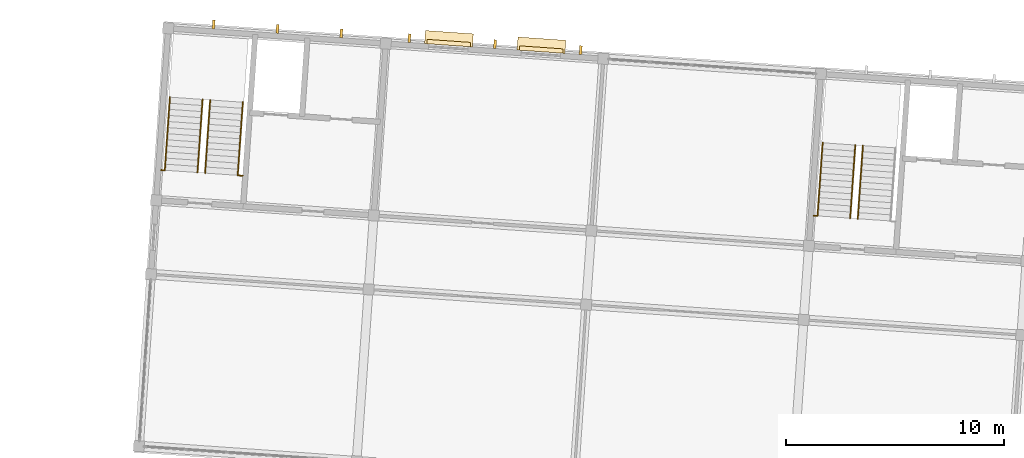
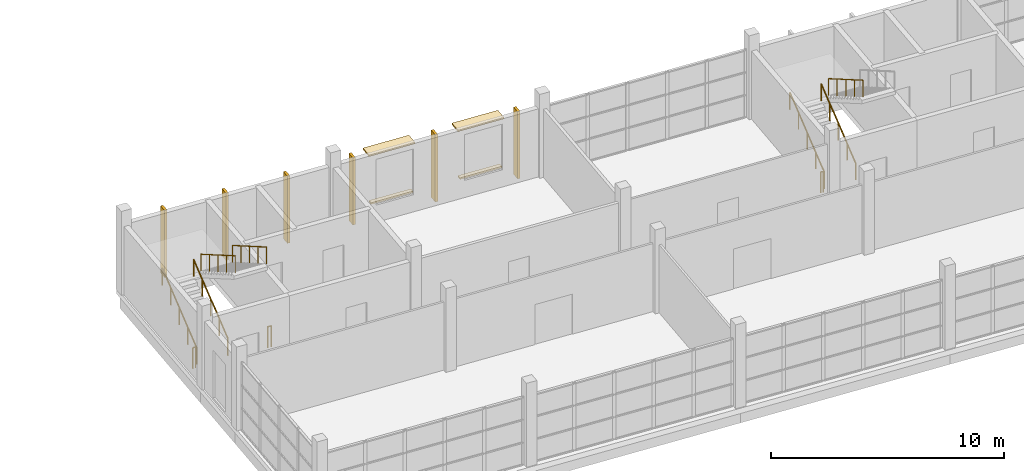
# One storey, part 49 of 50: 10 railings, 6 shading devices, 4 coverings.
"""IFC4 building model written with IfcOpenShell, lengths in metres."""

from ifc_helpers import new_model, si_unit, direction, frame, origin, origin_2d, place, context, subcontext, project, spatial, polyline, circle, outline, extrude, material, layer, layer_set, type_object, element, save


model = new_model("IFC4")

# Units and contexts
model_context = context("Model", 3, precision=1e-05, world=origin(), true_north=direction((0.0, 1.0)))
body_context = subcontext(model_context, "Body", "Model", "MODEL_VIEW")
ifc_project = project(units=[si_unit("LENGTHUNIT", "METRE"), si_unit("AREAUNIT", "SQUARE_METRE"), si_unit("VOLUMEUNIT", "CUBIC_METRE"), si_unit("PLANEANGLEUNIT", "RADIAN"), si_unit("MASSUNIT", "GRAM", prefix="KILO")], contexts=[model_context])

# Site, building, storey
site_placement = place(None, origin())
site = spatial("IfcSite", under=ifc_project, at=site_placement, CompositionType="ELEMENT")
building_placement = place(site_placement, origin())
building = spatial("IfcBuilding", under=site, at=building_placement, Name="Windward Yard Aquatics Centre", CompositionType="ELEMENT")
storey_placement = place(building_placement, frame((0.0, 0.0, 18.199951171875)))
storey = spatial("IfcBuildingStorey", under=building, at=storey_placement, Name="L04", CompositionType="ELEMENT", Elevation=18.199951171875)

# Railings
ifc_material_1 = material(Name="Stainless steel 1.4529", Category="steel")
railing_type_1 = type_object("IfcRailingType", Name="W guard 1100", PredefinedType="GUARDRAIL", material=ifc_material_1)
railing_1_placement = place(storey_placement, frame((118.849609375, 128.827880859375, 0.0)))
element("IfcRailing", 1, at=railing_1_placement, inside=storey, type_object=railing_type_1, Name="W.GS.W.L04.1", PredefinedType="GUARDRAIL", context=body_context, shape_type="SweptSolid", body=[
    extrude(circle(Radius=0.02392578125, at=origin_2d()), frame((0.0, 0.0, 1.076171875), z_axis=(0.997517922262, -0.070413029807, 0.0), x_axis=(0.070413029807, 0.997517922262, 0.0)), (0.0, 0.0, 1.0), 0.124755859375),
    extrude(circle(Radius=0.02099609375, at=origin_2d()), origin(), (0.0, 0.0, 1.0), 1.052001953125),
    extrude(circle(Radius=0.02099609375, at=origin_2d()), frame((0.12451171875, -0.0087890625, 0.0)), (0.0, 0.0, 1.0), 1.052001953125),
])
railing_2_placement = place(storey_placement, frame((122.415771484375, 128.57861328125, 0.0)))
element("IfcRailing", 2, at=railing_2_placement, inside=storey, type_object=railing_type_1, Name="W.GS.W.L04.2", PredefinedType="GUARDRAIL", context=body_context, shape_type="SweptSolid", body=[
    extrude(circle(Radius=0.02392578125, at=origin_2d()), frame((0.0, 0.0, 1.076171875), z_axis=(0.997563824095, -0.069759707979, 0.0), x_axis=(0.069759707979, 0.997563824095, 0.0)), (0.0, 0.0, 1.0), 0.175048828125),
    extrude(circle(Radius=0.02099609375, at=origin_2d()), origin(), (0.0, 0.0, 1.0), 1.052001953125),
    extrude(circle(Radius=0.02099609375, at=origin_2d()), frame((0.174560546875, -0.01220703125, 0.0)), (0.0, 0.0, 1.0), 1.052001953125),
])
railing_3_placement = place(storey_placement, frame((148.7763671875, 126.735107421875, 0.0)))
element("IfcRailing", 3, at=railing_3_placement, inside=storey, type_object=railing_type_1, Name="W.GS.E.L04.1", PredefinedType="GUARDRAIL", context=body_context, shape_type="SweptSolid", body=[
    extrude(circle(Radius=0.02392578125, at=origin_2d()), frame((0.0, 0.0, 1.076171875), z_axis=(0.997662565173, -0.068333052409, 0.0), x_axis=(0.068333052409, 0.997662565173, 0.0)), (0.0, 0.0, 1.0), 0.125),
    extrude(circle(Radius=0.02099609375, at=origin_2d()), origin(), (0.0, 0.0, 1.0), 1.052001953125),
    extrude(circle(Radius=0.02099609375, at=origin_2d()), frame((0.124755859375, -0.008544921875, 0.0)), (0.0, 0.0, 1.0), 1.052001953125),
])
ifc_material_2 = material(Name="Stainless steel 1.4401", Category="steel")
railing_type_2 = type_object("IfcRailingType", Name="W handrail 900", PredefinedType="HANDRAIL", material=ifc_material_2)
for number, where, name in (
    (4, (119.02392578125, 128.815673828125, 0.169189453125), "W.HR.W.L04.1L"),
    (5, (120.5205078125, 128.7109375, 0.169189453125), "W.HR.W.L04.1R"),
):
    element("IfcRailing", number, at=place(storey_placement, frame(where)), inside=storey, type_object=railing_type_2, Name=name, PredefinedType="HANDRAIL", context=body_context, shape_type="SweptSolid", body=[
        extrude(circle(Radius=0.02392578125, at=origin_2d()), frame((0.0, 0.0, 0.8759765625), z_axis=(0.05969805655, 0.853744394147, 0.517258785819), x_axis=(-0.997564177681, 0.06975465151, 0.0)), (0.0, 0.0, 1.0), 3.926025390625),
        extrude(circle(Radius=0.02099609375, at=origin_2d()), origin(), (0.0, 0.0, 1.0), 0.851806640625),
        extrude(circle(Radius=0.02099609375, at=origin_2d()), frame((0.05859375, 0.837890625, 0.5078125)), (0.0, 0.0, 1.0), 0.851806640625),
        extrude(circle(Radius=0.02099609375, at=origin_2d()), frame((0.1171875, 1.67578125, 1.015380859375)), (0.0, 0.0, 1.0), 0.851806640625),
        extrude(circle(Radius=0.02099609375, at=origin_2d()), frame((0.17578125, 2.513916015625, 1.52294921875)), (0.0, 0.0, 1.0), 0.851806640625),
        extrude(circle(Radius=0.02099609375, at=origin_2d()), frame((0.234375, 3.351806640625, 2.03076171875)), (0.0, 0.0, 1.0), 0.851806640625),
    ])
railing_4_placement = place(storey_placement, frame((121.10400390625, 132.038330078125, 2.369140625)))
element("IfcRailing", 6, at=railing_4_placement, inside=storey, type_object=railing_type_2, Name="W.HR.W.L04.2L", PredefinedType="HANDRAIL", context=body_context, shape_type="SweptSolid", body=[
    extrude(circle(Radius=0.02392578125, at=origin_2d()), frame((0.0, 0.0, 0.8759765625), z_axis=(-0.059758097812, -0.853713761566, 0.517302409678), x_axis=(0.997559118983, -0.069826958507, 0.0)), (0.0, 0.0, 1.0), 3.92626953125),
    extrude(circle(Radius=0.02099609375, at=origin_2d()), origin(), (0.0, 0.0, 1.0), 0.851806640625),
    extrude(circle(Radius=0.02099609375, at=origin_2d()), frame((-0.05859375, -0.837890625, 0.5078125)), (0.0, 0.0, 1.0), 0.851806640625),
    extrude(circle(Radius=0.02099609375, at=origin_2d()), frame((-0.1171875, -1.67578125, 1.015625)), (0.0, 0.0, 1.0), 0.851806640625),
    extrude(circle(Radius=0.02099609375, at=origin_2d()), frame((-0.176025390625, -2.513916015625, 1.523193359375)), (0.0, 0.0, 1.0), 0.851806640625),
    extrude(circle(Radius=0.02099609375, at=origin_2d()), frame((-0.234619140625, -3.351806640625, 2.031005859375)), (0.0, 0.0, 1.0), 0.851806640625),
])
railing_5_placement = place(storey_placement, frame((122.600341796875, 131.933837890625, 2.369140625)))
element("IfcRailing", 7, at=railing_5_placement, inside=storey, type_object=railing_type_2, Name="W.HR.W.L04.2R", PredefinedType="HANDRAIL", context=body_context, shape_type="SweptSolid", body=[
    extrude(circle(Radius=0.02392578125, at=origin_2d()), frame((0.0, 0.0, 0.8759765625), z_axis=(-0.059696136281, -0.853716932293, 0.51730433096), x_axis=(0.997564177681, -0.06975465151, 0.0)), (0.0, 0.0, 1.0), 3.926025390625),
    extrude(circle(Radius=0.02099609375, at=origin_2d()), origin(), (0.0, 0.0, 1.0), 0.851806640625),
    extrude(circle(Radius=0.02099609375, at=origin_2d()), frame((-0.05859375, -0.837890625, 0.5078125)), (0.0, 0.0, 1.0), 0.851806640625),
    extrude(circle(Radius=0.02099609375, at=origin_2d()), frame((-0.1171875, -1.67578125, 1.015625)), (0.0, 0.0, 1.0), 0.851806640625),
    extrude(circle(Radius=0.02099609375, at=origin_2d()), frame((-0.17578125, -2.513916015625, 1.523193359375)), (0.0, 0.0, 1.0), 0.851806640625),
    extrude(circle(Radius=0.02099609375, at=origin_2d()), frame((-0.234375, -3.351806640625, 2.031005859375)), (0.0, 0.0, 1.0), 0.851806640625),
])
for number, where, name in (
    (8, (148.950927734375, 126.722900390625, 0.169189453125), "W.HR.E.L04.1L"),
    (9, (150.447265625, 126.618408203125, 0.169189453125), "W.HR.E.L04.1R"),
):
    element("IfcRailing", number, at=place(storey_placement, frame(where)), inside=storey, type_object=railing_type_2, Name=name, PredefinedType="HANDRAIL", context=body_context, shape_type="SweptSolid", body=[
        extrude(circle(Radius=0.02392578125, at=origin_2d()), frame((0.0, 0.0, 0.8759765625), z_axis=(0.05969805655, 0.853744394147, 0.517258785819), x_axis=(-0.997564177681, 0.06975465151, 0.0)), (0.0, 0.0, 1.0), 3.926025390625),
        extrude(circle(Radius=0.02099609375, at=origin_2d()), origin(), (0.0, 0.0, 1.0), 0.851806640625),
        extrude(circle(Radius=0.02099609375, at=origin_2d()), frame((0.05859375, 0.837890625, 0.5078125)), (0.0, 0.0, 1.0), 0.851806640625),
        extrude(circle(Radius=0.02099609375, at=origin_2d()), frame((0.1171875, 1.67578125, 1.015380859375)), (0.0, 0.0, 1.0), 0.851806640625),
        extrude(circle(Radius=0.02099609375, at=origin_2d()), frame((0.17578125, 2.513916015625, 1.52294921875)), (0.0, 0.0, 1.0), 0.851806640625),
        extrude(circle(Radius=0.02099609375, at=origin_2d()), frame((0.234375, 3.351806640625, 2.03076171875)), (0.0, 0.0, 1.0), 0.851806640625),
    ])
railing_6_placement = place(storey_placement, frame((151.03076171875, 129.94580078125, 2.369140625)))
element("IfcRailing", 10, at=railing_6_placement, inside=storey, type_object=railing_type_2, Name="W.HR.E.L04.2L", PredefinedType="HANDRAIL", context=body_context, shape_type="SweptSolid", body=[
    extrude(circle(Radius=0.02392578125, at=origin_2d()), frame((0.0, 0.0, 0.8759765625), z_axis=(-0.059696136281, -0.853716932293, 0.51730433096), x_axis=(0.997564177681, -0.06975465151, 0.0)), (0.0, 0.0, 1.0), 3.926025390625),
    extrude(circle(Radius=0.02099609375, at=origin_2d()), origin(), (0.0, 0.0, 1.0), 0.851806640625),
    extrude(circle(Radius=0.02099609375, at=origin_2d()), frame((-0.05859375, -0.837890625, 0.5078125)), (0.0, 0.0, 1.0), 0.851806640625),
    extrude(circle(Radius=0.02099609375, at=origin_2d()), frame((-0.1171875, -1.67578125, 1.015625)), (0.0, 0.0, 1.0), 0.851806640625),
    extrude(circle(Radius=0.02099609375, at=origin_2d()), frame((-0.17578125, -2.513916015625, 1.523193359375)), (0.0, 0.0, 1.0), 0.851806640625),
    extrude(circle(Radius=0.02099609375, at=origin_2d()), frame((-0.234375, -3.351806640625, 2.031005859375)), (0.0, 0.0, 1.0), 0.851806640625),
])

# Shading devices
ifc_material_3 = material(Name="Timber-look aluminium batten, powder coated", Category="wood")
shading_device_type = type_object("IfcShadingDeviceType", Name="W vertical fin 120x400", PredefinedType="USERDEFINED", material=ifc_material_3)
shading_device_1_placement = place(storey_placement, origin())
element("IfcShadingDevice", 11, at=shading_device_1_placement, inside=storey, type_object=shading_device_type, Name="Vertical fin W.FW.L04.N.46.8.1.1", ObjectType="FIN", PredefinedType="USERDEFINED", context=body_context, shape_type="SweptSolid", body=[
    extrude(outline(polyline([(121.188720703125, 135.305419921875), (121.308349609375, 135.297119140625), (121.336181640625, 135.696044921875), (121.216552734375, 135.70458984375), (121.188720703125, 135.305419921875)])), origin(), (0.0, 0.0, 1.0), 3.52001953125),
])
shading_device_2_placement = place(storey_placement, origin())
element("IfcShadingDevice", 12, at=shading_device_2_placement, inside=storey, type_object=shading_device_type, Name="Vertical fin W.FW.L04.N.46.8.1.2", ObjectType="FIN", PredefinedType="USERDEFINED", context=body_context, shape_type="SweptSolid", body=[
    extrude(outline(polyline([(124.114990234375, 135.100830078125), (124.234619140625, 135.092529296875), (124.262451171875, 135.491455078125), (124.142822265625, 135.5), (124.114990234375, 135.100830078125)])), origin(), (0.0, 0.0, 1.0), 3.52001953125),
])
shading_device_3_placement = place(storey_placement, origin())
element("IfcShadingDevice", 13, at=shading_device_3_placement, inside=storey, type_object=shading_device_type, Name="Vertical fin W.FW.L04.N.46.8.1.3", ObjectType="FIN", PredefinedType="USERDEFINED", context=body_context, shape_type="SweptSolid", body=[
    extrude(outline(polyline([(127.041015625, 134.896240234375), (127.16064453125, 134.8876953125), (127.188720703125, 135.286865234375), (127.06884765625, 135.295166015625), (127.041015625, 134.896240234375)])), origin(), (0.0, 0.0, 1.0), 3.52001953125),
])
shading_device_4_placement = place(storey_placement, origin())
element("IfcShadingDevice", 14, at=shading_device_4_placement, inside=storey, type_object=shading_device_type, Name="Vertical fin W.FW.L04.N.56.8.1.1", ObjectType="FIN", PredefinedType="USERDEFINED", context=body_context, shape_type="SweptSolid", body=[
    extrude(outline(polyline([(130.16259765625, 134.677978515625), (130.2822265625, 134.669677734375), (130.310302734375, 135.068603515625), (130.1904296875, 135.076904296875), (130.16259765625, 134.677978515625)])), origin(), (0.0, 0.0, 1.0), 3.52001953125),
])
shading_device_5_placement = place(storey_placement, origin())
element("IfcShadingDevice", 15, at=shading_device_5_placement, inside=storey, type_object=shading_device_type, Name="Vertical fin W.FW.L04.N.56.8.2.1", ObjectType="FIN", PredefinedType="USERDEFINED", context=body_context, shape_type="SweptSolid", body=[
    extrude(outline(polyline([(134.090576171875, 134.4033203125), (134.210205078125, 134.39501953125), (134.238037109375, 134.7939453125), (134.118408203125, 134.802490234375), (134.090576171875, 134.4033203125)])), origin(), (0.0, 0.0, 1.0), 3.52001953125),
])
shading_device_6_placement = place(storey_placement, origin())
element("IfcShadingDevice", 16, at=shading_device_6_placement, inside=storey, type_object=shading_device_type, Name="Vertical fin W.FW.L04.N.56.8.3.1", ObjectType="FIN", PredefinedType="USERDEFINED", context=body_context, shape_type="SweptSolid", body=[
    extrude(outline(polyline([(138.018310546875, 134.128662109375), (138.13818359375, 134.120361328125), (138.166015625, 134.519287109375), (138.04638671875, 134.527587890625), (138.018310546875, 134.128662109375)])), origin(), (0.0, 0.0, 1.0), 3.52001953125),
])

# Coverings
ifc_material_4 = material(Name="Aluminium composite hood, powder coated", Category="aluminium")
ifc_layer_1 = layer(ifc_material_4, 0.080078125)
ifc_layer_set_1 = layer_set([ifc_layer_1], Name="W window hood aluminium 2200x600")
covering_type_1 = type_object("IfcCoveringType", Name="W window hood aluminium 2200x600", PredefinedType="CLADDING", material=ifc_layer_set_1)
covering_1_placement = place(storey_placement, frame((0.0, 0.0, 3.35009765625)))
element("IfcCovering", 17, at=covering_1_placement, inside=storey, type_object=covering_type_1, Name="Window hood W4501", PredefinedType="CLADDING", context=body_context, shape_type="SweptSolid", body=[
    extrude(outline(polyline([(130.93310546875, 134.6240234375), (133.127685546875, 134.470703125), (133.169677734375, 135.069091796875), (130.97509765625, 135.22265625), (130.93310546875, 134.6240234375)])), origin(), (0.0, 0.0, 1.0), 0.079833984375),
])
covering_2_placement = place(storey_placement, frame((0.0, 0.0, 3.35009765625)))
element("IfcCovering", 18, at=covering_2_placement, inside=storey, type_object=covering_type_1, Name="Window hood W4502", PredefinedType="CLADDING", context=body_context, shape_type="SweptSolid", body=[
    extrude(outline(polyline([(135.1728515625, 134.32763671875), (137.367431640625, 134.17431640625), (137.4091796875, 134.772705078125), (135.214599609375, 134.92626953125), (135.1728515625, 134.32763671875)])), origin(), (0.0, 0.0, 1.0), 0.079833984375),
])
ifc_material_5 = material(Name="Limestone sill", Category="masonry")
ifc_layer_2 = layer(ifc_material_5, 0.080078125)
ifc_layer_set_2 = layer_set([ifc_layer_2], Name="W window sill stone 2000x200")
covering_type_2 = type_object("IfcCoveringType", Name="W window sill stone 2000x200", PredefinedType="CLADDING", material=ifc_layer_set_2)
covering_3_placement = place(storey_placement, frame((0.0, 0.0, 0.820068359375)))
element("IfcCovering", 19, at=covering_3_placement, inside=storey, type_object=covering_type_2, Name="Window sill W4501", PredefinedType="CLADDING", context=body_context, shape_type="SweptSolid", body=[
    extrude(outline(polyline([(131.032958984375, 134.6171875), (133.028076171875, 134.4775390625), (133.0419921875, 134.677001953125), (131.046875, 134.816650390625), (131.032958984375, 134.6171875)])), origin(), (0.0, 0.0, 1.0), 0.080078125),
])
covering_4_placement = place(storey_placement, frame((0.0, 0.0, 0.820068359375)))
element("IfcCovering", 20, at=covering_4_placement, inside=storey, type_object=covering_type_2, Name="Window sill W4502", PredefinedType="CLADDING", context=body_context, shape_type="SweptSolid", body=[
    extrude(outline(polyline([(135.272705078125, 134.32080078125), (137.267578125, 134.18115234375), (137.28173828125, 134.380615234375), (135.28662109375, 134.520263671875), (135.272705078125, 134.32080078125)])), origin(), (0.0, 0.0, 1.0), 0.080078125),
])

save(model, "model.ifc")
